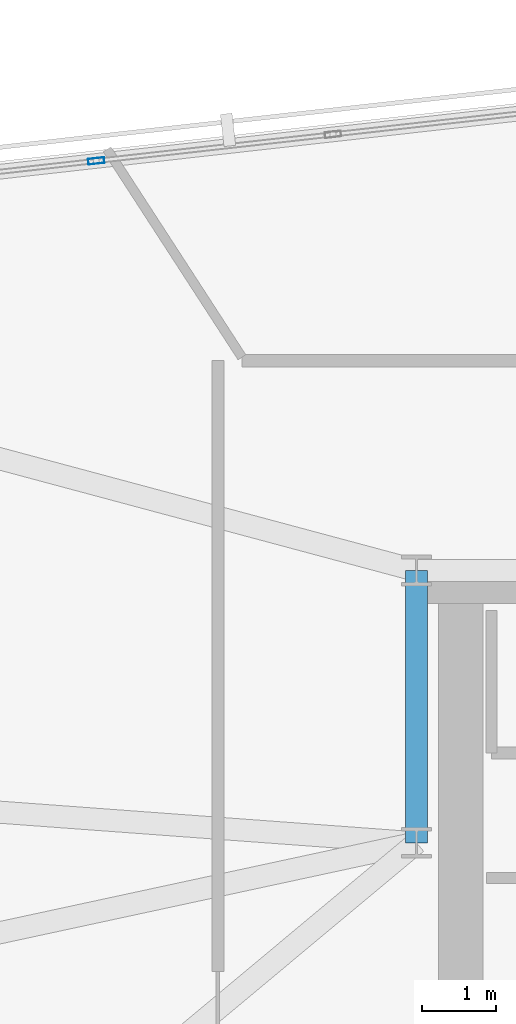
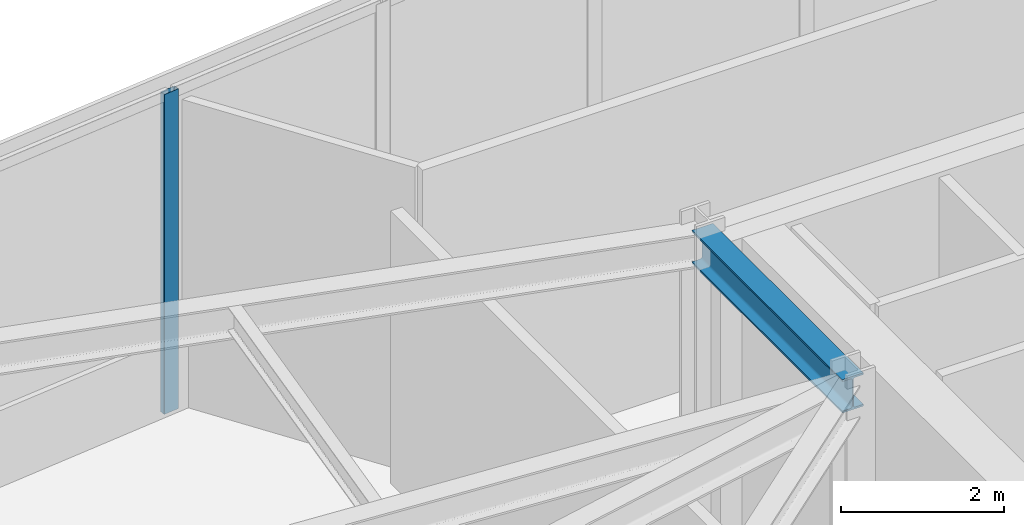
# One storey, part 3 of 12: 1 beam, 1 member, 1 element without a shape of its own.
"""IFC4 building model written with IfcOpenShell, lengths in metres."""

from ifc_helpers import new_model, si_unit, direction, frame, origin, origin_2d, place, context, subcontext, project, spatial, hollow_rectangle, i_section, extrude, material, material_profile, profile_set, type_object, element, aggregate, save


model = new_model("IFC4")

# Units and contexts
model_context = context("Model", 3, precision=1e-05, world=origin(), true_north=direction((0.0, 1.0)))
body_context = subcontext(model_context, "Body", "Model", "MODEL_VIEW")
ifc_project = project(units=[si_unit("LENGTHUNIT", "METRE"), si_unit("AREAUNIT", "SQUARE_METRE"), si_unit("VOLUMEUNIT", "CUBIC_METRE"), si_unit("PLANEANGLEUNIT", "RADIAN"), si_unit("MASSUNIT", "GRAM", prefix="KILO")], contexts=[model_context])

# Site, building, storey
site_placement = place(None, origin())
site = spatial("IfcSite", under=ifc_project, at=site_placement, CompositionType="ELEMENT")
building_placement = place(site_placement, origin())
building = spatial("IfcBuilding", under=site, at=building_placement, Name="Narakoshi Arena Tower", CompositionType="ELEMENT")
storey_placement = place(building_placement, frame((0.0, 0.0, 302.97998046875)))
storey = spatial("IfcBuildingStorey", under=building, at=storey_placement, Name="L82", CompositionType="ELEMENT", Elevation=302.97998046875)

# Beam
ifc_material_1 = material(Name="Structural steel S355J2", Category="steel")
ifc_material_profile_1 = material_profile(ifc_material_1, i_section(OverallWidth=0.300048828125, OverallDepth=0.5, WebThickness=0.014404296875, FlangeThickness=0.028076171875, FilletRadius=0.027099609375, at=origin_2d()), Name="HE500B")
ifc_profile_set_1 = profile_set([ifc_material_profile_1], Name="Structural steel S355J2")
beam_type = type_object("IfcBeamType", Name="BM-PRI-500", PredefinedType="BEAM", material=ifc_profile_set_1)
beam_placement = place(storey_placement, frame((72.0, 52.800048828125, 4.35009765625), z_axis=(0.0, 1.0, 0.0), x_axis=(-1.0, 0.0, 0.0)))
element("IfcBeam", 1, at=beam_placement, inside=storey, type_object=beam_type, Name="L82 Core Perimeter Frame Beam CC4-CC5", PredefinedType="BEAM", context=body_context, shape_type="SweptSolid", body=[
    extrude(i_section(OverallWidth=0.300048828125, OverallDepth=0.5, WebThickness=0.014404296875, FlangeThickness=0.028076171875, FilletRadius=0.027099609375, at=origin_2d()), origin(), (0.0, 0.0, 1.0), 3.699951171875),
])

# Curtain wall, member
ifc_material_2 = material(Name="Anodised bronze aluminium 6063-T6", Category="aluminium")
curtain_wall_type = type_object("IfcCurtainWallType", Name="CW-CRN-FACET", PredefinedType="NOTDEFINED", material=ifc_material_2)
curtain_wall_placement = place(storey_placement, origin())
curtain_wall = element("IfcCurtainWall", 2, at=curtain_wall_placement, inside=storey, type_object=curtain_wall_type, Name="L82 Slanted-Cut Crown Curtain Wall 5-2", PredefinedType="NOTDEFINED")
ifc_material_profile_2 = material_profile(ifc_material_2, hollow_rectangle(XDim=0.080078125, YDim=0.219970703125, WallThickness=0.0048828125, OuterFilletRadius=0.006103515625, at=origin_2d()), Name="MUL220x80x5")
ifc_profile_set_2 = profile_set([ifc_material_profile_2], Name="Anodised bronze aluminium 6063-T6")
member_type = type_object("IfcMemberType", Name="MEM-MUL-220", PredefinedType="MULLION", material=ifc_profile_set_2)
member_placement = place(storey_placement, frame((67.648193359375, 62.06494140625, 0.0), z_axis=(0.0, 0.0, 1.0), x_axis=(-0.11139525537, 0.993776180576, 0.0)))
member = element("IfcMember", 3, at=member_placement, type_object=member_type, Name="CW-06 mullion 4", PredefinedType="MULLION", context=body_context, shape_type="SweptSolid", body=[
    extrude(hollow_rectangle(XDim=0.080078125, YDim=0.219970703125, WallThickness=0.0048828125, OuterFilletRadius=0.006103515625, at=origin_2d()), origin(), (0.0, 0.0, 1.0), 4.800048828125),
])
aggregate(curtain_wall, [member])

save(model, "model.ifc")
